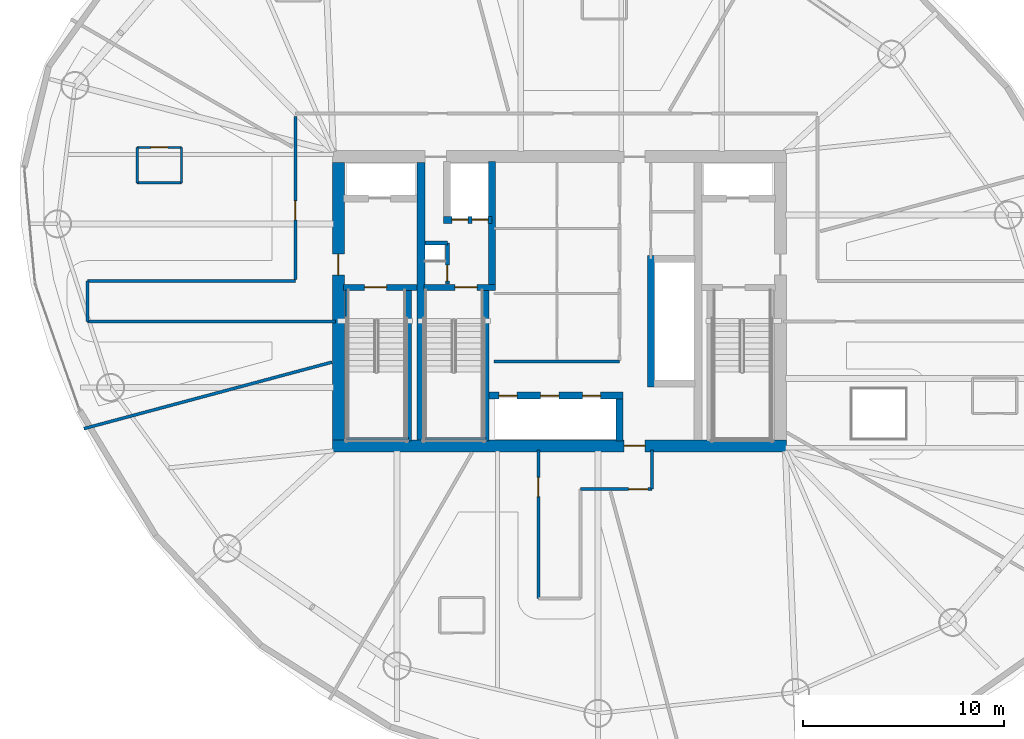
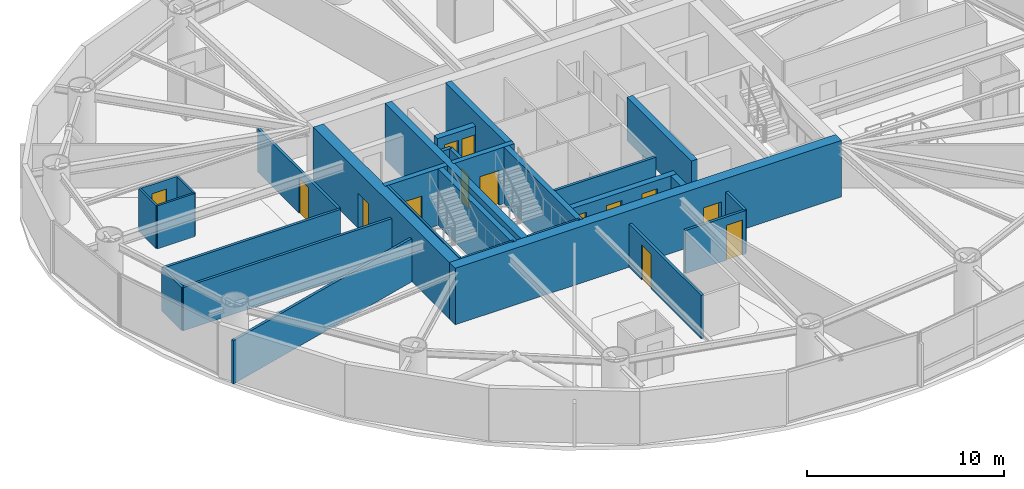
# One storey, part 15 of 20: 30 walls, 14 doors, 14 openings.
"""IFC4 building model written with IfcOpenShell, lengths in metres."""

import ifcopenshell
import ifcopenshell.guid

model = None  # the IFC model being written
_history = None  # IfcOwnerHistory: only IFC2X3 demands one
_inside = {}  # id of a spatial element -> (the spatial element, [elements in it])
_under = {}  # id of a project, library or spatial element -> (it, [spatial elements below it])
_declared = {}  # id of a project -> (the project, [libraries it declares])
_typed = {}  # id of a type object -> (the type object, [elements of that type])
_made_of = {}  # id of a material, layer set ... -> (it, [elements and type objects made of it])


def new_model(schema):
    """Start an empty IFC model of exactly this schema.

    Asked for "IFC4X3", IfcOpenShell would pick the latest addendum, in which some entities
    have other attributes; the version numbers below select the first issue.
    IFC2X3 requires an IfcOwnerHistory on every rooted entity: one is made here for all.
    """
    global model, _history
    if schema == "IFC4X3":
        model = ifcopenshell.file(schema_version=(4, 3, 0, 0))
    else:
        model = ifcopenshell.file(schema=schema)
    _inside.clear()
    _under.clear()
    _declared.clear()
    _typed.clear()
    _made_of.clear()
    _history = None
    if model.schema == "IFC2X3":
        org = make("IfcOrganization", Name="unknown")
        user = make(
            "IfcPersonAndOrganization",
            ThePerson=make("IfcPerson", FamilyName="unknown"),
            TheOrganization=org,
        )
        app = make(
            "IfcApplication",
            ApplicationDeveloper=org,
            Version="unknown",
            ApplicationFullName="unknown",
            ApplicationIdentifier="unknown",
        )
        _history = make(
            "IfcOwnerHistory",
            OwningUser=user,
            OwningApplication=app,
            ChangeAction="ADDED",
            CreationDate=0,
        )
    return model


def make(cls, **values):
    """One entity of the class cls with the attributes given. An attribute that is None is left unset."""
    return model.create_entity(
        cls, **{name: value for name, value in values.items() if value is not None}
    )


def rooted(cls, **values):
    """An entity with a GlobalId (a new one), such as an element, a storey or a relation."""
    return make(cls, GlobalId=ifcopenshell.guid.new(), OwnerHistory=_history, **values)


def si_unit(unit_type, name, prefix=None):
    """IfcSIUnit, for example si_unit("LENGTHUNIT", "METRE", prefix="MILLI")."""
    return make("IfcSIUnit", UnitType=unit_type, Prefix=prefix, Name=name)


def assignment(units):
    """IfcUnitAssignment: the units of a project."""
    return None if units is None else make("IfcUnitAssignment", Units=units)


def point(xyz):
    """IfcCartesianPoint."""
    return None if xyz is None else make("IfcCartesianPoint", Coordinates=xyz)


def direction(xyz):
    """IfcDirection."""
    return None if xyz is None else make("IfcDirection", DirectionRatios=xyz)


def frame(location, z_axis=None, x_axis=None):
    """IfcAxis2Placement3D, a coordinate frame: its origin and axes. An axis left out is left unset."""
    return make(
        "IfcAxis2Placement3D",
        Location=point(location),
        Axis=direction(z_axis),
        RefDirection=direction(x_axis),
    )


def frame_2d(location, x_axis=None):
    """IfcAxis2Placement2D, a coordinate frame in the plane: its origin and x axis."""
    return make(
        "IfcAxis2Placement2D", Location=point(location), RefDirection=direction(x_axis)
    )


def origin():
    """The frame at (0, 0, 0) with its axes left unset."""
    return frame((0.0, 0.0, 0.0))


def place(relative_to, where):
    """IfcLocalPlacement: puts the frame where relative to a parent placement (None: the world)."""
    return make(
        "IfcLocalPlacement", PlacementRelTo=relative_to, RelativePlacement=where
    )


def context(
    kind, dimensions, precision=None, world=None, true_north=None, identifier=None
):
    """IfcGeometricRepresentationContext, for example the 3D "Model" context."""
    return make(
        "IfcGeometricRepresentationContext",
        ContextIdentifier=identifier,
        ContextType=kind,
        CoordinateSpaceDimension=dimensions,
        Precision=precision,
        WorldCoordinateSystem=world,
        TrueNorth=true_north,
    )


def subcontext(parent, identifier, kind, view, scale=None):
    """IfcGeometricRepresentationSubContext, for example "Body" below "Model"."""
    return make(
        "IfcGeometricRepresentationSubContext",
        ContextIdentifier=identifier,
        ContextType=kind,
        ParentContext=parent,
        TargetScale=scale,
        TargetView=view,
    )


def project(units=None, contexts=None):
    """IfcProject with its units and contexts."""
    return rooted(
        "IfcProject",
        Name="project",
        RepresentationContexts=contexts,
        UnitsInContext=assignment(units),
    )


def spatial(cls, under=None, at=None, **own):
    """A site, building, storey or space (cls), placed at a placement, below another one or the project."""
    s = rooted(cls, ObjectPlacement=at, **own)
    if under is not None:
        _under.setdefault(under.id(), (under, []))[1].append(s)
    return s


def profile(cls, at=None, kind="AREA", **sizes):
    """A parametric profile (cls). Its sizes go by their IFC names, for example OverallWidth=200.0."""
    return make(cls, ProfileType=kind, Position=at, **sizes)


def rectangle(**sizes):
    """IfcRectangleProfileDef."""
    return profile("IfcRectangleProfileDef", **sizes)


def extrude(swept, where, along, depth):
    """IfcExtrudedAreaSolid: the profile swept, set in the frame where, extruded along a direction by depth."""
    return make(
        "IfcExtrudedAreaSolid",
        SweptArea=swept,
        Position=where,
        ExtrudedDirection=direction(along),
        Depth=depth,
    )


def shape(context_of_items, identifier, shape_type, items):
    """IfcShapeRepresentation: the items that make up one representation, for example the "Body"."""
    return make(
        "IfcShapeRepresentation",
        ContextOfItems=context_of_items,
        RepresentationIdentifier=identifier,
        RepresentationType=shape_type,
        Items=items,
    )


def material(Name=None, Category=None):
    """IfcMaterial."""
    return make("IfcMaterial", Name=Name, Category=Category)


def layer(
    of_material, thickness, ventilated=None, Name=None, Category=None, Priority=None
):
    """IfcMaterialLayer: one layer of a wall or slab, of a material (None: an air gap)."""
    return make(
        "IfcMaterialLayer",
        Material=of_material,
        LayerThickness=thickness,
        IsVentilated=ventilated,
        Name=Name,
        Category=Category,
        Priority=Priority,
    )


def layer_set(layers, Name=None):
    """IfcMaterialLayerSet."""
    return make("IfcMaterialLayerSet", MaterialLayers=layers, LayerSetName=Name)


def made_of(thing, what):
    """Note that an element or type object is made of a material, layer set ...; save() writes the relation."""
    if what is not None:
        _made_of.setdefault(what.id(), (what, []))[1].append(thing)
    return thing


def type_object(cls, material=None, **own):
    """A type object (cls), such as IfcWallType, which elements share."""
    return made_of(rooted(cls, **own), material)


def element(
    cls,
    number,
    at=None,
    inside=None,
    cuts=None,
    type_object=None,
    material=None,
    context=None,
    identifier="Body",
    shape_type=None,
    held_by="IfcProductDefinitionShape",
    body=None,
    shapes=None,
    **own,
):
    """One element of the class cls, such as IfcWall. Its Tag is "e" and its number.

    at: its placement. inside: the storey or other place that contains it. cuts: it is an
    opening in that element (IfcRelVoidsElement). A single representation is given by context,
    identifier, shape_type and body (its items); several are given by shapes. held_by: the class
    of the entity that holds the representations. save() writes the other relations.
    """
    e = rooted(cls, Tag="e%d" % number, ObjectPlacement=at, **own)
    if body is not None:
        shapes = [shape(context, identifier, shape_type, body)]
    if shapes is not None:
        e.Representation = make(held_by, Representations=shapes)
    if inside is not None:
        _inside.setdefault(inside.id(), (inside, []))[1].append(e)
    if cuts is not None:
        rooted(
            "IfcRelVoidsElement", RelatingBuildingElement=cuts, RelatedOpeningElement=e
        )
    if type_object is not None:
        _typed.setdefault(type_object.id(), (type_object, []))[1].append(e)
    return made_of(e, material)


def fill(opening, filler):
    """IfcRelFillsElement: the door or window that sits in an opening."""
    return rooted(
        "IfcRelFillsElement",
        RelatingOpeningElement=opening,
        RelatedBuildingElement=filler,
    )


def aggregate(whole, parts):
    """IfcRelAggregates: a whole, such as a stair, and the parts it consists of."""
    return rooted("IfcRelAggregates", RelatingObject=whole, RelatedObjects=parts)


def save(model, path):
    """Write the relations noted so far, then the file.

    IfcRelAggregates (storeys below a building ...), IfcRelContainedInSpatialStructure (elements
    in a storey), IfcRelDefinesByType, IfcRelAssociatesMaterial and IfcRelDeclares: one each for
    every whole, place, type object, material and project.
    """
    for whole, parts in _under.values():
        aggregate(whole, parts)
    for where, things in _inside.values():
        rooted(
            "IfcRelContainedInSpatialStructure",
            RelatedElements=things,
            RelatingStructure=where,
        )
    for kind, things in _typed.values():
        rooted("IfcRelDefinesByType", RelatedObjects=things, RelatingType=kind)
    for what, things in _made_of.values():
        rooted("IfcRelAssociatesMaterial", RelatedObjects=things, RelatingMaterial=what)
    for by, libraries in _declared.values():
        rooted("IfcRelDeclares", RelatingContext=by, RelatedDefinitions=libraries)
    model.write(path)


model = new_model("IFC4")

# Units and contexts
model_context = context("Model", 3, precision=1e-05, world=origin(), true_north=direction((0.0, 1.0)))
body_context = subcontext(model_context, "Body", "Model", "MODEL_VIEW")
ifc_project = project(units=[si_unit("LENGTHUNIT", "METRE"), si_unit("AREAUNIT", "SQUARE_METRE"), si_unit("VOLUMEUNIT", "CUBIC_METRE"), si_unit("PLANEANGLEUNIT", "RADIAN"), si_unit("MASSUNIT", "GRAM", prefix="KILO")], contexts=[model_context])

# Site, building, storey
site_placement = place(None, origin())
site = spatial("IfcSite", under=ifc_project, at=site_placement, CompositionType="ELEMENT")
building_placement = place(site_placement, origin())
building = spatial("IfcBuilding", under=site, at=building_placement, Name="Bramvorn Convention Spire", CompositionType="ELEMENT")
storey_placement = place(building_placement, frame((0.0, 0.0, 130.800048828125)))
storey = spatial("IfcBuildingStorey", under=building, at=storey_placement, Name="L32", CompositionType="ELEMENT", Elevation=130.800048828125)

# Wall, opening, door
ifc_material_1 = material(Name="Concrete C60/70", Category="concrete")
ifc_layer_1 = layer(ifc_material_1, 0.60009765625)
ifc_layer_set_1 = layer_set([ifc_layer_1], Name="Concrete C60/70 - WL-CORE-600")
wall_type_1 = type_object("IfcWallType", Name="WL-CORE-600", PredefinedType="SHEAR", material=ifc_layer_set_1)
wall_1_placement = place(storey_placement, frame((26.699951171875, 18.800048828125, 0.0), z_axis=(0.0, 0.0, 1.0), x_axis=(1.0, 0.0, 0.0)))
wall_1 = element("IfcWall", 1, at=wall_1_placement, inside=storey, type_object=wall_type_1, Name="L32 South RC core shear wall", PredefinedType="SHEAR", context=body_context, shape_type="SweptSolid", body=[
    extrude(rectangle(XDim=22.60009765625, YDim=0.60009765625, at=frame_2d((11.300048828125, 0.0))), origin(), (0.0, 0.0, 1.0), 3.5),
])
opening_1_placement = place(wall_1_placement, frame((14.52001953125, 0.0, 0.0)))
opening_1 = element("IfcOpeningElement", 2, at=opening_1_placement, cuts=wall_1, Name="Opening DL-105", PredefinedType="OPENING", context=body_context, shape_type="SweptSolid", body=[
    extrude(rectangle(XDim=1.050048828125, YDim=2.14990234375, at=frame_2d((0.52490234375, 1.074951171875))), frame((0.0, 0.31005859375, 0.0), z_axis=(0.0, -1.0, 0.0), x_axis=(1.0, 0.0, 0.0)), (0.0, 0.0, 1.0), 0.6201171875),
])
ifc_material_2 = material(Name="Smoke-Sealed Fire Lobby Timber-Core Door", Category="wood")
door_type_1 = type_object("IfcDoorType", Name="DR-LOBBY-1050", OperationType="NOTDEFINED", PredefinedType="DOOR", material=ifc_material_2)
door_1_placement = place(opening_1_placement, origin())
door_1 = element("IfcDoor", 3, at=door_1_placement, inside=storey, type_object=door_type_1, Name="L32 South Lift Lobby fire door", OperationType="SINGLE_SWING_RIGHT", OverallHeight=2.14990234375, OverallWidth=1.050048828125, PredefinedType="DOOR", context=body_context, shape_type="SweptSolid", body=[
    extrude(rectangle(XDim=1.050048828125, YDim=2.14990234375, at=frame_2d((0.52490234375, 1.074951171875))), frame((0.0, 0.02490234375, 0.0), z_axis=(0.0, -1.0, 0.0), x_axis=(1.0, 0.0, 0.0)), (0.0, 0.0, 1.0), 0.050048828125),
])
fill(opening_1, door_1)

wall_2_placement = place(storey_placement, frame((27.0, 19.10009765625, 0.0), z_axis=(0.0, 0.0, 1.0), x_axis=(0.0, 1.0, 0.0)))
wall_2 = element("IfcWall", 4, at=wall_2_placement, inside=storey, type_object=wall_type_1, Name="L32 West RC core shear wall", PredefinedType="SHEAR", context=body_context, shape_type="SweptSolid", body=[
    extrude(rectangle(XDim=13.7998046875, YDim=0.60009765625, at=frame_2d((6.89990234375, 0.0))), origin(), (0.0, 0.0, 1.0), 3.5),
])
opening_2_placement = place(wall_2_placement, frame((8.199951171875, 0.0, 0.0)))
opening_2 = element("IfcOpeningElement", 5, at=opening_2_placement, cuts=wall_2, Name="Opening DL-105", PredefinedType="OPENING", context=body_context, shape_type="SweptSolid", body=[
    extrude(rectangle(XDim=1.050048828125, YDim=2.14990234375, at=frame_2d((0.52490234375, 1.074951171875))), frame((0.0, 0.31005859375, 0.0), z_axis=(0.0, -1.0, 0.0), x_axis=(1.0, 0.0, 0.0)), (0.0, 0.0, 1.0), 0.6201171875),
])
door_2_placement = place(opening_2_placement, origin())
door_2 = element("IfcDoor", 6, at=door_2_placement, inside=storey, type_object=door_type_1, Name="L32 West Firefighting Lobby corridor door", OperationType="SINGLE_SWING_RIGHT", OverallHeight=2.14990234375, OverallWidth=1.050048828125, PredefinedType="DOOR", context=body_context, shape_type="SweptSolid", body=[
    extrude(rectangle(XDim=1.050048828125, YDim=2.14990234375, at=frame_2d((0.52490234375, 1.074951171875))), frame((0.0, 0.02490234375, 0.0), z_axis=(0.0, -1.0, 0.0), x_axis=(1.0, 0.0, 0.0)), (0.0, 0.0, 1.0), 0.050048828125),
])
fill(opening_2, door_2)

# Wall
ifc_material_3 = material(Name="Concrete C50/60", Category="concrete")
ifc_layer_2 = layer(ifc_material_3, 0.35009765625)
ifc_layer_set_2 = layer_set([ifc_layer_2], Name="Concrete C50/60 - WL-CORE-INT-350")
wall_type_2 = type_object("IfcWallType", Name="WL-CORE-INT-350", PredefinedType="SHEAR", material=ifc_layer_set_2)
wall_3_placement = place(storey_placement, frame((34.639892578125, 26.68994140625, 0.0), z_axis=(0.0, 0.0, 1.0), x_axis=(0.0, 1.0, 0.0)))
element("IfcWall", 7, at=wall_3_placement, inside=storey, type_object=wall_type_2, Name="L32 SV east core shaft wall", PredefinedType="SHEAR", context=body_context, shape_type="SweptSolid", body=[
    extrude(rectangle(XDim=6.260009765625, YDim=0.35009765625, at=frame_2d((3.1298828125, 0.0))), origin(), (0.0, 0.0, 1.0), 3.5),
])

# Wall, openings, doors
wall_4_placement = place(storey_placement, frame((32.22998046875, 30.050048828125, 0.0), z_axis=(0.0, 0.0, 1.0), x_axis=(1.0, 0.0, 0.0)))
wall_4 = element("IfcWall", 8, at=wall_4_placement, inside=storey, type_object=wall_type_2, Name="L32 SV1/SV2 shaft front wall", PredefinedType="SHEAR", context=body_context, shape_type="SweptSolid", body=[
    extrude(rectangle(XDim=2.409912109375, YDim=0.35009765625, at=frame_2d((1.205078125, 0.0))), origin(), (0.0, 0.0, 1.0), 2.675048828125),
])
opening_3_placement = place(wall_4_placement, frame((0.419921875, 0.0, 0.0)))
opening_3 = element("IfcOpeningElement", 9, at=opening_3_placement, cuts=wall_4, Name="Opening LD-080", PredefinedType="OPENING", context=body_context, shape_type="SweptSolid", body=[
    extrude(rectangle(XDim=0.800048828125, YDim=2.14990234375, at=frame_2d((0.39990234375, 1.074951171875))), frame((0.0, 0.18505859375, 0.0), z_axis=(0.0, -1.0, 0.0), x_axis=(1.0, 0.0, 0.0)), (0.0, 0.0, 1.0), 0.3701171875),
])
opening_4_placement = place(wall_4_placement, frame((1.419921875, 0.0, 0.0)))
opening_4 = element("IfcOpeningElement", 10, at=opening_4_placement, cuts=wall_4, Name="Opening LD-080", PredefinedType="OPENING", context=body_context, shape_type="SweptSolid", body=[
    extrude(rectangle(XDim=0.800048828125, YDim=2.14990234375, at=frame_2d((0.39990234375, 1.074951171875))), frame((0.0, 0.18505859375, 0.0), z_axis=(0.0, -1.0, 0.0), x_axis=(1.0, 0.0, 0.0)), (0.0, 0.0, 1.0), 0.3701171875),
])
ifc_material_4 = material(Name="Service Lift Bi-Parting Landing Door", Category="steel")
door_type_2 = type_object("IfcDoorType", Name="DR-LIFT-LD-800", OperationType="NOTDEFINED", PredefinedType="DOOR", material=ifc_material_4)
door_3_placement = place(opening_3_placement, origin())
door_3 = element("IfcDoor", 11, at=door_3_placement, inside=storey, type_object=door_type_2, Name="L32 Lift SV1 Sliding Landing Door", OperationType="SLIDING_TO_LEFT", OverallHeight=2.14990234375, OverallWidth=0.800048828125, PredefinedType="DOOR", context=body_context, shape_type="SweptSolid", body=[
    extrude(rectangle(XDim=0.800048828125, YDim=2.14990234375, at=frame_2d((0.39990234375, 1.074951171875))), frame((0.0, 0.02490234375, 0.0), z_axis=(0.0, -1.0, 0.0), x_axis=(1.0, 0.0, 0.0)), (0.0, 0.0, 1.0), 0.050048828125),
])
fill(opening_3, door_3)
door_4_placement = place(opening_4_placement, origin())
door_4 = element("IfcDoor", 12, at=door_4_placement, inside=storey, type_object=door_type_2, Name="L32 Lift SV2 Sliding Landing Door", OperationType="SLIDING_TO_LEFT", OverallHeight=2.14990234375, OverallWidth=0.800048828125, PredefinedType="DOOR", context=body_context, shape_type="SweptSolid", body=[
    extrude(rectangle(XDim=0.800048828125, YDim=2.14990234375, at=frame_2d((0.39990234375, 1.074951171875))), frame((0.0, 0.02490234375, 0.0), z_axis=(0.0, -1.0, 0.0), x_axis=(1.0, 0.0, 0.0)), (0.0, 0.0, 1.0), 0.050048828125),
])
fill(opening_4, door_4)

# Wall
wall_5_placement = place(storey_placement, frame((42.550048828125, 21.72998046875, 0.0), z_axis=(0.0, 0.0, 1.0), x_axis=(0.0, 1.0, 0.0)))
element("IfcWall", 13, at=wall_5_placement, inside=storey, type_object=wall_type_2, Name="L32 High-rise lift bank west wall", PredefinedType="SHEAR", context=body_context, shape_type="SweptSolid", body=[
    extrude(rectangle(XDim=6.5400390625, YDim=0.35009765625, at=frame_2d((3.27001953125, 0.0))), origin(), (0.0, 0.0, 1.0), 2.675048828125),
])

# Wall, openings, doors
wall_6_placement = place(storey_placement, frame((34.489990234375, 21.300048828125, 0.0), z_axis=(0.0, 0.0, 1.0), x_axis=(1.0, 0.0, 0.0)))
wall_6 = element("IfcWall", 14, at=wall_6_placement, inside=storey, type_object=wall_type_2, Name="L32 Mid-rise bank north landing wall", PredefinedType="SHEAR", context=body_context, shape_type="SweptSolid", body=[
    extrude(rectangle(XDim=6.679931640625, YDim=0.35009765625, at=frame_2d((3.33984375, 0.0))), origin(), (0.0, 0.0, 1.0), 2.675048828125),
])
opening_5_placement = place(wall_6_placement, frame((0.5, 0.0, 0.0)))
opening_5 = element("IfcOpeningElement", 15, at=opening_5_placement, cuts=wall_6, Name="Opening LD-090", PredefinedType="OPENING", context=body_context, shape_type="SweptSolid", body=[
    extrude(rectangle(XDim=0.89990234375, YDim=2.14990234375, at=frame_2d((0.449951171875, 1.074951171875))), frame((0.0, 0.18505859375, 0.0), z_axis=(0.0, -1.0, 0.0), x_axis=(1.0, 0.0, 0.0)), (0.0, 0.0, 1.0), 0.3701171875),
])
opening_6_placement = place(wall_6_placement, frame((2.580078125, 0.0, 0.0)))
opening_6 = element("IfcOpeningElement", 16, at=opening_6_placement, cuts=wall_6, Name="Opening LD-090", PredefinedType="OPENING", context=body_context, shape_type="SweptSolid", body=[
    extrude(rectangle(XDim=0.89990234375, YDim=2.14990234375, at=frame_2d((0.449951171875, 1.074951171875))), frame((0.0, 0.18505859375, 0.0), z_axis=(0.0, -1.0, 0.0), x_axis=(1.0, 0.0, 0.0)), (0.0, 0.0, 1.0), 0.3701171875),
])
opening_7_placement = place(wall_6_placement, frame((4.659912109375, 0.0, 0.0)))
opening_7 = element("IfcOpeningElement", 17, at=opening_7_placement, cuts=wall_6, Name="Opening LD-090", PredefinedType="OPENING", context=body_context, shape_type="SweptSolid", body=[
    extrude(rectangle(XDim=0.89990234375, YDim=2.14990234375, at=frame_2d((0.449951171875, 1.074951171875))), frame((0.0, 0.18505859375, 0.0), z_axis=(0.0, -1.0, 0.0), x_axis=(1.0, 0.0, 0.0)), (0.0, 0.0, 1.0), 0.3701171875),
])
ifc_material_5 = material(Name="Bi-Parting Fire-Rated Lift Landing Door", Category="steel")
door_type_3 = type_object("IfcDoorType", Name="DR-LIFT-LD-900", OperationType="NOTDEFINED", PredefinedType="DOOR", material=ifc_material_5)
door_5_placement = place(opening_5_placement, origin())
door_5 = element("IfcDoor", 18, at=door_5_placement, inside=storey, type_object=door_type_3, Name="L32 Lift PM1 Sliding Landing Door", OperationType="SLIDING_TO_LEFT", OverallHeight=2.14990234375, OverallWidth=0.89990234375, PredefinedType="DOOR", context=body_context, shape_type="SweptSolid", body=[
    extrude(rectangle(XDim=0.89990234375, YDim=2.14990234375, at=frame_2d((0.449951171875, 1.074951171875))), frame((0.0, 0.02490234375, 0.0), z_axis=(0.0, -1.0, 0.0), x_axis=(1.0, 0.0, 0.0)), (0.0, 0.0, 1.0), 0.050048828125),
])
fill(opening_5, door_5)
door_6_placement = place(opening_6_placement, origin())
door_6 = element("IfcDoor", 19, at=door_6_placement, inside=storey, type_object=door_type_3, Name="L32 Lift PM2 Sliding Landing Door", OperationType="SLIDING_TO_LEFT", OverallHeight=2.14990234375, OverallWidth=0.89990234375, PredefinedType="DOOR", context=body_context, shape_type="SweptSolid", body=[
    extrude(rectangle(XDim=0.89990234375, YDim=2.14990234375, at=frame_2d((0.449951171875, 1.074951171875))), frame((0.0, 0.02490234375, 0.0), z_axis=(0.0, -1.0, 0.0), x_axis=(1.0, 0.0, 0.0)), (0.0, 0.0, 1.0), 0.050048828125),
])
fill(opening_6, door_6)
door_7_placement = place(opening_7_placement, origin())
door_7 = element("IfcDoor", 20, at=door_7_placement, inside=storey, type_object=door_type_3, Name="L32 Lift PM3 Sliding Landing Door", OperationType="SLIDING_TO_LEFT", OverallHeight=2.14990234375, OverallWidth=0.89990234375, PredefinedType="DOOR", context=body_context, shape_type="SweptSolid", body=[
    extrude(rectangle(XDim=0.89990234375, YDim=2.14990234375, at=frame_2d((0.449951171875, 1.074951171875))), frame((0.0, 0.02490234375, 0.0), z_axis=(0.0, -1.0, 0.0), x_axis=(1.0, 0.0, 0.0)), (0.0, 0.0, 1.0), 0.050048828125),
])
fill(opening_7, door_7)

# Walls
wall_7_placement = place(storey_placement, frame((41.0, 19.050048828125, 0.0), z_axis=(0.0, 0.0, 1.0), x_axis=(0.0, 1.0, 0.0)))
element("IfcWall", 21, at=wall_7_placement, inside=storey, type_object=wall_type_2, Name="L32 Mid-rise bank east cheek wall", PredefinedType="SHEAR", context=body_context, shape_type="SweptSolid", body=[
    extrude(rectangle(XDim=2.079833984375, YDim=0.35009765625, at=frame_2d((1.0400390625, 0.0))), origin(), (0.0, 0.0, 1.0), 2.675048828125),
])
ifc_layer_3 = layer(ifc_material_1, 0.39990234375)
ifc_layer_set_3 = layer_set([ifc_layer_3], Name="Concrete C60/70 - WL-CORE-INT-400")
wall_type_3 = type_object("IfcWallType", Name="WL-CORE-INT-400", PredefinedType="SHEAR", material=ifc_layer_set_3)
wall_8_placement = place(storey_placement, frame((31.10009765625, 19.10009765625, 0.0), z_axis=(0.0, 0.0, 1.0), x_axis=(0.0, 1.0, 0.0)))
element("IfcWall", 22, at=wall_8_placement, inside=storey, type_object=wall_type_3, Name="L32 West internal core shear web", PredefinedType="SHEAR", context=body_context, shape_type="SweptSolid", body=[
    extrude(rectangle(XDim=13.7998046875, YDim=0.39990234375, at=frame_2d((6.89990234375, 0.0))), origin(), (0.0, 0.0, 1.0), 3.5),
])
ifc_material_6 = material(Name="Lightweight En-Suite & Wet-Wall Partition", Category="gypsum")
ifc_layer_4 = layer(ifc_material_6, 0.110107421875)
ifc_layer_set_4 = layer_set([ifc_layer_4], Name="Lightweight En-Suite & Wet-Wall Partition - WL-PART-110")
wall_type_4 = type_object("IfcWallType", Name="WL-PART-110", PredefinedType="PARTITIONING", material=ifc_layer_set_4)
wall_9_placement = place(storey_placement, frame((16.98046875, 31.894287109375, 0.0), z_axis=(0.0, 0.0, 1.0), x_axis=(1.0, 0.0, 0.0)))
element("IfcWall", 23, at=wall_9_placement, inside=storey, type_object=wall_type_4, Name="Hotel Suite 3204 en-suite south wall", PredefinedType="PARTITIONING", context=body_context, shape_type="SweptSolid", body=[
    extrude(rectangle(XDim=2.199951171875, YDim=0.110107421875, at=frame_2d((1.10009765625, 0.0))), origin(), (0.0, 0.0, 1.0), 2.675048828125),
])

# Wall, opening, door
wall_10_placement = place(storey_placement, frame((16.98046875, 33.654296875, 0.0), z_axis=(0.0, 0.0, 1.0), x_axis=(1.0, 0.0, 0.0)))
wall_10 = element("IfcWall", 24, at=wall_10_placement, inside=storey, type_object=wall_type_4, Name="Hotel Suite 3204 en-suite north wall", PredefinedType="PARTITIONING", context=body_context, shape_type="SweptSolid", body=[
    extrude(rectangle(XDim=2.199951171875, YDim=0.110107421875, at=frame_2d((1.10009765625, 0.0))), origin(), (0.0, 0.0, 1.0), 2.675048828125),
])
opening_8_placement = place(wall_10_placement, frame((0.679931640625, 0.0, 0.0)))
opening_8 = element("IfcOpeningElement", 25, at=opening_8_placement, cuts=wall_10, Name="Opening DI-085", PredefinedType="OPENING", context=body_context, shape_type="SweptSolid", body=[
    extrude(rectangle(XDim=0.85009765625, YDim=2.10009765625, at=frame_2d((0.425048828125, 1.050048828125))), frame((0.0, 0.06494140625, 0.0), z_axis=(0.0, -1.0, 0.0), x_axis=(1.0, 0.0, 0.0)), (0.0, 0.0, 1.0), 0.130126953125),
])
ifc_material_7 = material(Name="En-Suite & Restroom Privacy Door", Category="wood")
door_type_4 = type_object("IfcDoorType", Name="DR-INT-850", OperationType="NOTDEFINED", PredefinedType="DOOR", material=ifc_material_7)
door_8_placement = place(opening_8_placement, origin())
door_8 = element("IfcDoor", 26, at=door_8_placement, inside=storey, type_object=door_type_4, Name="Hotel Suite 3204 En-Suite Bathroom door", OperationType="SINGLE_SWING_LEFT", OverallHeight=2.10009765625, OverallWidth=0.85009765625, PredefinedType="DOOR", context=body_context, shape_type="SweptSolid", body=[
    extrude(rectangle(XDim=0.85009765625, YDim=2.10009765625, at=frame_2d((0.425048828125, 1.050048828125))), frame((0.0, 0.02490234375, 0.0), z_axis=(0.0, -1.0, 0.0), x_axis=(1.0, 0.0, 0.0)), (0.0, 0.0, 1.0), 0.050048828125),
])
fill(opening_8, door_8)

# Walls
for number, where, z_axis, x_axis, name in (
    (27, (16.98046875, 31.894287109375, 0.0), (0.0, 0.0, 1.0), (0.0, 1.0, 0.0), "Hotel Suite 3204 en-suite west wall"),
    (28, (19.180419921875, 31.894287109375, 0.0), (0.0, 0.0, 1.0), (0.0, 1.0, 0.0), "Hotel Suite 3204 en-suite east wall"),
):
    element("IfcWall", number, at=place(storey_placement, frame(where, z_axis=z_axis, x_axis=x_axis)), inside=storey, type_object=wall_type_4, Name=name, PredefinedType="PARTITIONING", context=body_context, shape_type="SweptSolid", body=[
        extrude(rectangle(XDim=1.760009765625, YDim=0.110107421875, at=frame_2d((0.8798828125, 0.0))), origin(), (0.0, 0.0, 1.0), 2.675048828125),
    ])
ifc_material_8 = material(Name="Acoustic Metal-Stud Tenant/Corridor Partition", Category="gypsum")
ifc_layer_5 = layer(ifc_material_8, 0.14990234375)
ifc_layer_set_5 = layer_set([ifc_layer_5], Name="Acoustic Metal-Stud Tenant/Corridor Partition - WL-PART-150")
wall_type_5 = type_object("IfcWallType", Name="WL-PART-150", PredefinedType="PARTITIONING", material=ifc_layer_set_5)
wall_11_placement = place(storey_placement, frame((34.75, 23.0, 0.0), z_axis=(0.0, 0.0, 1.0), x_axis=(1.0, 0.0, 0.0)))
element("IfcWall", 29, at=wall_11_placement, inside=storey, type_object=wall_type_5, Name="L32 Mid-rise lift vestibule north wall", PredefinedType="PARTITIONING", context=body_context, shape_type="SweptSolid", body=[
    extrude(rectangle(XDim=6.25, YDim=0.14990234375, at=frame_2d((3.125, 0.0))), origin(), (0.0, 0.0, 1.0), 2.675048828125),
])

# Wall, opening, door
wall_12_placement = place(storey_placement, frame((24.85009765625, 27.080078125, 0.0), z_axis=(0.0, 0.0, 1.0), x_axis=(0.0, 1.0, 0.0)))
wall_12 = element("IfcWall", 30, at=wall_12_placement, inside=storey, type_object=wall_type_5, Name="L32 NW gallery cheek", PredefinedType="PARTITIONING", context=body_context, shape_type="SweptSolid", body=[
    extrude(rectangle(XDim=8.119873046875, YDim=0.14990234375, at=frame_2d((4.06005859375, 0.0))), origin(), (0.0, 0.0, 1.0), 2.675048828125),
])
opening_9_placement = place(wall_12_placement, frame((2.9658203125, 0.0, 0.0)))
opening_9 = element("IfcOpeningElement", 31, at=opening_9_placement, cuts=wall_12, Name="Opening DH-095", PredefinedType="OPENING", context=body_context, shape_type="SweptSolid", body=[
    extrude(rectangle(XDim=0.949951171875, YDim=2.14990234375, at=frame_2d((0.47509765625, 1.074951171875))), frame((0.0, 0.0849609375, 0.0), z_axis=(0.0, -1.0, 0.0), x_axis=(1.0, 0.0, 0.0)), (0.0, 0.0, 1.0), 0.169921875),
])
ifc_material_9 = material(Name="Solid-Core Acoustic Guestroom Entry Door", Category="wood")
door_type_5 = type_object("IfcDoorType", Name="DR-HOTEL-950", OperationType="NOTDEFINED", PredefinedType="DOOR", material=ifc_material_9)
door_9_placement = place(opening_9_placement, origin())
door_9 = element("IfcDoor", 32, at=door_9_placement, inside=storey, type_object=door_type_5, Name="Hotel Suite 3204 entry door", OperationType="SINGLE_SWING_LEFT", OverallHeight=2.14990234375, OverallWidth=0.949951171875, PredefinedType="DOOR", context=body_context, shape_type="SweptSolid", body=[
    extrude(rectangle(XDim=0.949951171875, YDim=2.14990234375, at=frame_2d((0.47509765625, 1.074951171875))), frame((0.0, 0.02490234375, 0.0), z_axis=(0.0, -1.0, 0.0), x_axis=(1.0, 0.0, 0.0)), (0.0, 0.0, 1.0), 0.050048828125),
])
fill(opening_9, door_9)

# Walls
wall_13_placement = place(storey_placement, frame((14.5, 27.0, 0.0), z_axis=(0.0, 0.0, 1.0), x_axis=(1.0, 0.0, 0.0)))
element("IfcWall", 33, at=wall_13_placement, inside=storey, type_object=wall_type_5, Name="L32 West wing spine north wall", PredefinedType="PARTITIONING", context=body_context, shape_type="SweptSolid", body=[
    extrude(rectangle(XDim=10.35009765625, YDim=0.14990234375, at=frame_2d((5.175048828125, 0.0))), origin(), (0.0, 0.0, 1.0), 2.675048828125),
])
wall_14_placement = place(storey_placement, frame((14.5, 25.0, 0.0), z_axis=(0.0, 0.0, 1.0), x_axis=(1.0, 0.0, 0.0)))
element("IfcWall", 34, at=wall_14_placement, inside=storey, type_object=wall_type_5, Name="L32 West wing spine south wall", PredefinedType="PARTITIONING", context=body_context, shape_type="SweptSolid", body=[
    extrude(rectangle(XDim=12.35009765625, YDim=0.14990234375, at=frame_2d((6.175048828125, 0.0))), origin(), (0.0, 0.0, 1.0), 2.675048828125),
])
wall_15_placement = place(storey_placement, frame((14.5, 25.0, 0.0), z_axis=(0.0, 0.0, 1.0), x_axis=(0.0, 1.0, 0.0)))
element("IfcWall", 35, at=wall_15_placement, inside=storey, type_object=wall_type_5, Name="L32 West wing spine end wall", PredefinedType="PARTITIONING", context=body_context, shape_type="SweptSolid", body=[
    extrude(rectangle(XDim=2.0, YDim=0.14990234375, at=frame_2d((1.0, 0.0))), origin(), (0.0, 0.0, 1.0), 2.675048828125),
])

# Wall, opening, door
wall_16_placement = place(storey_placement, frame((36.949951171875, 11.199951171875, 0.0), z_axis=(0.0, 0.0, 1.0), x_axis=(0.0, 1.0, 0.0)))
wall_16 = element("IfcWall", 36, at=wall_16_placement, inside=storey, type_object=wall_type_5, Name="L32 South axial spine west wall", PredefinedType="PARTITIONING", context=body_context, shape_type="SweptSolid", body=[
    extrude(rectangle(XDim=7.400146484375, YDim=0.14990234375, at=frame_2d((3.7001953125, 0.0))), origin(), (0.0, 0.0, 1.0), 2.675048828125),
])
opening_10_placement = place(wall_16_placement, frame((5.074951171875, 0.0, 0.0)))
opening_10 = element("IfcOpeningElement", 37, at=opening_10_placement, cuts=wall_16, Name="Opening DH-095", PredefinedType="OPENING", context=body_context, shape_type="SweptSolid", body=[
    extrude(rectangle(XDim=0.949951171875, YDim=2.14990234375, at=frame_2d((0.47509765625, 1.074951171875))), frame((0.0, 0.0849609375, 0.0), z_axis=(0.0, -1.0, 0.0), x_axis=(1.0, 0.0, 0.0)), (0.0, 0.0, 1.0), 0.169921875),
])
door_10_placement = place(opening_10_placement, origin())
door_10 = element("IfcDoor", 38, at=door_10_placement, inside=storey, type_object=door_type_5, Name="Hotel Suite 3206 entry door", OperationType="SINGLE_SWING_RIGHT", OverallHeight=2.14990234375, OverallWidth=0.949951171875, PredefinedType="DOOR", context=body_context, shape_type="SweptSolid", body=[
    extrude(rectangle(XDim=0.949951171875, YDim=2.14990234375, at=frame_2d((0.47509765625, 1.074951171875))), frame((0.0, 0.02490234375, 0.0), z_axis=(0.0, -1.0, 0.0), x_axis=(1.0, 0.0, 0.0)), (0.0, 0.0, 1.0), 0.050048828125),
])
fill(opening_10, door_10)

wall_17_placement = place(storey_placement, frame((39.050048828125, 16.64990234375, 0.0), z_axis=(0.0, 0.0, 1.0), x_axis=(1.0, 0.0, 0.0)))
wall_17 = element("IfcWall", 39, at=wall_17_placement, inside=storey, type_object=wall_type_5, Name="L32 South lift lobby link wall", PredefinedType="PARTITIONING", context=body_context, shape_type="SweptSolid", body=[
    extrude(rectangle(XDim=3.550048828125, YDim=0.14990234375, at=frame_2d((1.77490234375, 0.0))), origin(), (0.0, 0.0, 1.0), 2.675048828125),
])
opening_11_placement = place(wall_17_placement, frame((2.39990234375, 0.0, 0.0)))
opening_11 = element("IfcOpeningElement", 40, at=opening_11_placement, cuts=wall_17, Name="Opening DH-095", PredefinedType="OPENING", context=body_context, shape_type="SweptSolid", body=[
    extrude(rectangle(XDim=0.949951171875, YDim=2.14990234375, at=frame_2d((0.47509765625, 1.074951171875))), frame((0.0, 0.0849609375, 0.0), z_axis=(0.0, -1.0, 0.0), x_axis=(1.0, 0.0, 0.0)), (0.0, 0.0, 1.0), 0.169921875),
])
door_11_placement = place(opening_11_placement, origin())
door_11 = element("IfcDoor", 41, at=door_11_placement, inside=storey, type_object=door_type_5, Name="L32 Hospitality Salon 7 door", OperationType="SINGLE_SWING_LEFT", OverallHeight=2.14990234375, OverallWidth=0.949951171875, PredefinedType="DOOR", context=body_context, shape_type="SweptSolid", body=[
    extrude(rectangle(XDim=0.949951171875, YDim=2.14990234375, at=frame_2d((0.47509765625, 1.074951171875))), frame((0.0, 0.02490234375, 0.0), z_axis=(0.0, -1.0, 0.0), x_axis=(1.0, 0.0, 0.0)), (0.0, 0.0, 1.0), 0.050048828125),
])
fill(opening_11, door_11)

# Walls
wall_18_placement = place(storey_placement, frame((42.60009765625, 16.64990234375, 0.0), z_axis=(0.0, 0.0, 1.0), x_axis=(0.0, 1.0, 0.0)))
element("IfcWall", 42, at=wall_18_placement, inside=storey, type_object=wall_type_5, Name="L32 South lift lobby east cheek", PredefinedType="PARTITIONING", context=body_context, shape_type="SweptSolid", body=[
    extrude(rectangle(XDim=1.9501953125, YDim=0.14990234375, at=frame_2d((0.97509765625, 0.0))), origin(), (0.0, 0.0, 1.0), 2.675048828125),
])
wall_19_placement = place(storey_placement, frame((26.679931640625, 22.966796875, 0.0), z_axis=(0.0, 0.0, 1.0), x_axis=(-0.965924955624, -0.258822294448, 0.0)))
element("IfcWall", 43, at=wall_19_placement, inside=storey, type_object=wall_type_5, Name="L32 Guestroom demising wall 5", PredefinedType="PARTITIONING", context=body_context, shape_type="SweptSolid", body=[
    extrude(rectangle(XDim=12.787109375, YDim=0.14990234375, at=frame_2d((6.3935546875, 0.0))), origin(), (0.0, 0.0, 1.0), 2.675048828125),
])

# Wall, opening, door
ifc_material_10 = material(Name="Gypsum Shaftwall & Rockwool Core Partition", Category="gypsum")
ifc_layer_6 = layer(ifc_material_10, 0.199951171875)
ifc_layer_set_6 = layer_set([ifc_layer_6], Name="Gypsum Shaftwall & Rockwool Core Partition - WL-PART-200-FR")
wall_type_6 = type_object("IfcWallType", Name="WL-PART-200-FR", PredefinedType="PARTITIONING", material=ifc_layer_set_6)
wall_20_placement = place(storey_placement, frame((32.419921875, 26.860107421875, 0.0), z_axis=(0.0, 0.0, 1.0), x_axis=(0.0, 1.0, 0.0)))
wall_20 = element("IfcWall", 44, at=wall_20_placement, inside=storey, type_object=wall_type_6, Name="L32 Telecom riser east wall", PredefinedType="PARTITIONING", context=body_context, shape_type="SweptSolid", body=[
    extrude(rectangle(XDim=2.039794921875, YDim=0.199951171875, at=frame_2d((1.02001953125, 0.0))), origin(), (0.0, 0.0, 1.0), 2.675048828125),
])
opening_12_placement = place(wall_20_placement, frame((0.139892578125, 0.0, 0.0)))
opening_12 = element("IfcOpeningElement", 45, at=opening_12_placement, cuts=wall_20, Name="Opening DR-080", PredefinedType="OPENING", context=body_context, shape_type="SweptSolid", body=[
    extrude(rectangle(XDim=0.800048828125, YDim=2.050048828125, at=frame_2d((0.39990234375, 1.02490234375))), frame((0.0, 0.10986328125, 0.0), z_axis=(0.0, -1.0, 0.0), x_axis=(1.0, 0.0, 0.0)), (0.0, 0.0, 1.0), 0.219970703125),
])
ifc_material_11 = material(Name="Flush Steel Riser Access Door", Category="steel")
door_type_6 = type_object("IfcDoorType", Name="DR-RISER-800", OperationType="NOTDEFINED", PredefinedType="DOOR", material=ifc_material_11)
door_12_placement = place(opening_12_placement, origin())
door_12 = element("IfcDoor", 46, at=door_12_placement, inside=storey, type_object=door_type_6, Name="L32 Telecom riser access door", OperationType="SINGLE_SWING_RIGHT", OverallHeight=2.050048828125, OverallWidth=0.800048828125, PredefinedType="DOOR", context=body_context, shape_type="SweptSolid", body=[
    extrude(rectangle(XDim=0.800048828125, YDim=2.050048828125, at=frame_2d((0.39990234375, 1.02490234375))), frame((0.0, 0.02490234375, 0.0), z_axis=(0.0, -1.0, 0.0), x_axis=(1.0, 0.0, 0.0)), (0.0, 0.0, 1.0), 0.050048828125),
])
fill(opening_12, door_12)

# Wall
wall_21_placement = place(storey_placement, frame((31.300048828125, 28.89990234375, 0.0), z_axis=(0.0, 0.0, 1.0), x_axis=(1.0, 0.0, 0.0)))
element("IfcWall", 47, at=wall_21_placement, inside=storey, type_object=wall_type_6, Name="L32 Telecom riser north wall", PredefinedType="PARTITIONING", context=body_context, shape_type="SweptSolid", body=[
    extrude(rectangle(XDim=1.119873046875, YDim=0.199951171875, at=frame_2d((0.56005859375, 0.0))), origin(), (0.0, 0.0, 1.0), 2.675048828125),
])

# Wall, opening, door
ifc_layer_7 = layer(ifc_material_3, 0.300048828125)
ifc_layer_set_7 = layer_set([ifc_layer_7], Name="Concrete C50/60 - WL-POD-STAIR-300")
wall_type_7 = type_object("IfcWallType", Name="WL-POD-STAIR-300", PredefinedType="SHEAR", material=ifc_layer_set_7)
wall_22_placement = place(storey_placement, frame((27.25, 26.68994140625, 0.0), z_axis=(0.0, 0.0, 1.0), x_axis=(1.0, 0.0, 0.0)))
wall_22 = element("IfcWall", 48, at=wall_22_placement, inside=storey, type_object=wall_type_7, Name="L32 ST1 north fire wall", PredefinedType="SHEAR", context=body_context, shape_type="SweptSolid", body=[
    extrude(rectangle(XDim=3.669921875, YDim=0.300048828125, at=frame_2d((1.8349609375, 0.0))), origin(), (0.0, 0.0, 1.0), 3.5),
])
opening_13_placement = place(wall_22_placement, frame((1.050048828125, 0.0, 0.0)))
opening_13 = element("IfcOpeningElement", 49, at=opening_13_placement, cuts=wall_22, Name="Opening DS-110", PredefinedType="OPENING", context=body_context, shape_type="SweptSolid", body=[
    extrude(rectangle(XDim=1.10009765625, YDim=2.14990234375, at=frame_2d((0.550048828125, 1.074951171875))), frame((0.0, 0.159912109375, 0.0), z_axis=(0.0, -1.0, 0.0), x_axis=(1.0, 0.0, 0.0)), (0.0, 0.0, 1.0), 0.320068359375),
])
ifc_material_12 = material(Name="Fire-Rated Hollow Steel Stairwell Door", Category="steel")
door_type_7 = type_object("IfcDoorType", Name="DR-STAIR-1100", OperationType="NOTDEFINED", PredefinedType="DOOR", material=ifc_material_12)
door_13_placement = place(opening_13_placement, origin())
door_13 = element("IfcDoor", 50, at=door_13_placement, inside=storey, type_object=door_type_7, Name="L32 Stair ST1 fire door", OperationType="SINGLE_SWING_LEFT", OverallHeight=2.14990234375, OverallWidth=1.10009765625, PredefinedType="DOOR", context=body_context, shape_type="SweptSolid", body=[
    extrude(rectangle(XDim=1.10009765625, YDim=2.14990234375, at=frame_2d((0.550048828125, 1.074951171875))), frame((0.0, 0.02490234375, 0.0), z_axis=(0.0, -1.0, 0.0), x_axis=(1.0, 0.0, 0.0)), (0.0, 0.0, 1.0), 0.050048828125),
])
fill(opening_13, door_13)

# Walls
for number, where, z_axis, x_axis, name in (
    (51, (30.489990234375, 19.050048828125, 0.0), (0.0, 0.0, 1.0), (0.0, 1.0, 0.0), "L32 ST1 east bearing wall"),
    (52, (34.340087890625, 19.050048828125, 0.0), (0.0, 0.0, 1.0), (0.0, 1.0, 0.0), "L32 ST3 east bearing wall"),
):
    element("IfcWall", number, at=place(storey_placement, frame(where, z_axis=z_axis, x_axis=x_axis)), inside=storey, type_object=wall_type_7, Name=name, PredefinedType="SHEAR", context=body_context, shape_type="SweptSolid", body=[
        extrude(rectangle(XDim=7.5, YDim=0.300048828125, at=frame_2d((3.75, 0.0))), origin(), (0.0, 0.0, 1.0), 3.5),
    ])

# Wall, opening, door
wall_23_placement = place(storey_placement, frame((31.25, 26.68994140625, 0.0), z_axis=(0.0, 0.0, 1.0), x_axis=(1.0, 0.0, 0.0)))
wall_23 = element("IfcWall", 53, at=wall_23_placement, inside=storey, type_object=wall_type_7, Name="L32 ST3 north lobby wall", PredefinedType="SHEAR", context=body_context, shape_type="SweptSolid", body=[
    extrude(rectangle(XDim=3.56005859375, YDim=0.300048828125, at=frame_2d((1.780029296875, 0.0))), origin(), (0.0, 0.0, 1.0), 3.5),
])
opening_14_placement = place(wall_23_placement, frame((1.550048828125, 0.0, 0.0)))
opening_14 = element("IfcOpeningElement", 54, at=opening_14_placement, cuts=wall_23, Name="Opening DS-110", PredefinedType="OPENING", context=body_context, shape_type="SweptSolid", body=[
    extrude(rectangle(XDim=1.10009765625, YDim=2.14990234375, at=frame_2d((0.550048828125, 1.074951171875))), frame((0.0, 0.159912109375, 0.0), z_axis=(0.0, -1.0, 0.0), x_axis=(1.0, 0.0, 0.0)), (0.0, 0.0, 1.0), 0.320068359375),
])
door_14_placement = place(opening_14_placement, origin())
door_14 = element("IfcDoor", 55, at=door_14_placement, inside=storey, type_object=door_type_7, Name="L32 Stair ST3 fire door", OperationType="SINGLE_SWING_LEFT", OverallHeight=2.14990234375, OverallWidth=1.10009765625, PredefinedType="DOOR", context=body_context, shape_type="SweptSolid", body=[
    extrude(rectangle(XDim=1.10009765625, YDim=2.14990234375, at=frame_2d((0.550048828125, 1.074951171875))), frame((0.0, 0.02490234375, 0.0), z_axis=(0.0, -1.0, 0.0), x_axis=(1.0, 0.0, 0.0)), (0.0, 0.0, 1.0), 0.050048828125),
])
fill(opening_14, door_14)

# Walls
ifc_layer_8 = layer(ifc_material_3, 0.1201171875)
ifc_layer_set_8 = layer_set([ifc_layer_8], Name="Concrete C50/60 - WL-STAIR-RC-120")
wall_type_8 = type_object("IfcWallType", Name="WL-STAIR-RC-120", PredefinedType="SHEAR", material=ifc_layer_set_8)
wall_24_placement = place(storey_placement, frame((27.39501953125, 19.10009765625, 0.0), z_axis=(0.0, 0.0, 1.0), x_axis=(0.0, 1.0, 0.0)))
element("IfcWall", 56, at=wall_24_placement, inside=storey, type_object=wall_type_8, Name="L32 ST1 west bearing shear wall", PredefinedType="SHEAR", context=body_context, shape_type="SweptSolid", body=[
    extrude(rectangle(XDim=7.449951171875, YDim=0.1201171875, at=frame_2d((3.72509765625, 0.0))), origin(), (0.0, 0.0, 1.0), 3.5),
])
wall_25_placement = place(storey_placement, frame((27.39501953125, 19.159912109375, 0.0), z_axis=(0.0, 0.0, 1.0), x_axis=(1.0, 0.0, 0.0)))
element("IfcWall", 57, at=wall_25_placement, inside=storey, type_object=wall_type_8, Name="L32 ST1 south bearing shear wall", PredefinedType="SHEAR", context=body_context, shape_type="SweptSolid", body=[
    extrude(rectangle(XDim=3.094970703125, YDim=0.1201171875, at=frame_2d((1.54736328125, 0.0))), origin(), (0.0, 0.0, 1.0), 3.5),
])
wall_26_placement = place(storey_placement, frame((31.300048828125, 19.159912109375, 0.0), z_axis=(0.0, 0.0, 1.0), x_axis=(1.0, 0.0, 0.0)))
element("IfcWall", 58, at=wall_26_placement, inside=storey, type_object=wall_type_8, Name="L32 ST3 south bearing shear wall", PredefinedType="SHEAR", context=body_context, shape_type="SweptSolid", body=[
    extrude(rectangle(XDim=3.0400390625, YDim=0.1201171875, at=frame_2d((1.52001953125, 0.0))), origin(), (0.0, 0.0, 1.0), 3.5),
])

save(model, "model.ifc")
